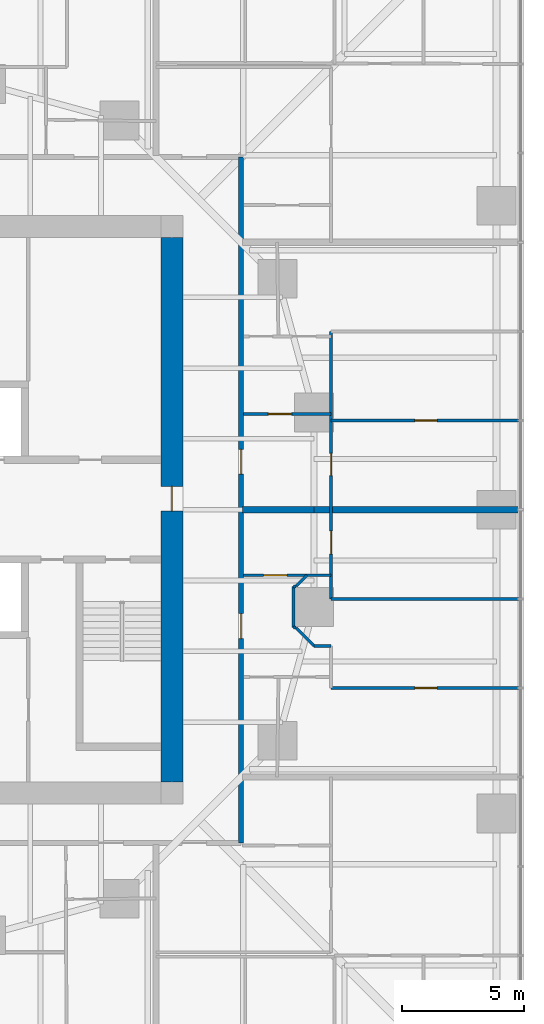
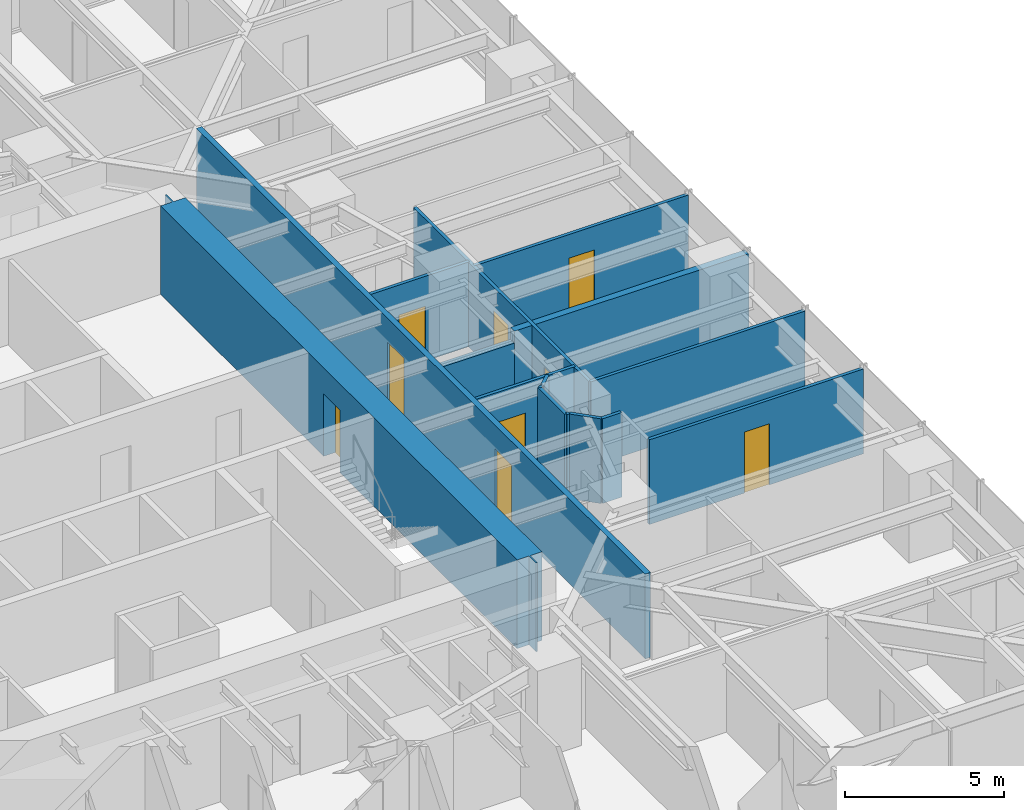
# One storey, part 11 of 16: 16 walls, 9 doors, 9 openings.
"""IFC4 building model written with IfcOpenShell, lengths in metres."""

from ifc_helpers import new_model, si_unit, direction, frame, frame_2d, origin, place, context, subcontext, project, spatial, polyline, rectangle, outline, extrude, material, layer, layer_set, type_object, element, fill, save


model = new_model("IFC4")

# Units and contexts
model_context = context("Model", 3, precision=1e-05, world=origin(), true_north=direction((0.0, 1.0)))
body_context = subcontext(model_context, "Body", "Model", "MODEL_VIEW")
ifc_project = project(units=[si_unit("LENGTHUNIT", "METRE"), si_unit("AREAUNIT", "SQUARE_METRE"), si_unit("VOLUMEUNIT", "CUBIC_METRE"), si_unit("PLANEANGLEUNIT", "RADIAN"), si_unit("MASSUNIT", "GRAM", prefix="KILO")], contexts=[model_context])

# Site, building, storey
site_placement = place(None, origin())
site = spatial("IfcSite", under=ifc_project, at=site_placement, CompositionType="ELEMENT")
building_placement = place(site_placement, origin())
building = spatial("IfcBuilding", under=site, at=building_placement, Name="Torsade Residences", CompositionType="ELEMENT")
storey_placement = place(building_placement, frame((0.0, 0.0, 35.39990234375)))
storey = spatial("IfcBuildingStorey", under=building, at=storey_placement, Name="L09", CompositionType="ELEMENT", Elevation=35.39990234375)

# Wall, opening, door
ifc_material_1 = material(Name="Concrete 80 MPa", Category="concrete")
ifc_layer_1 = layer(ifc_material_1, 0.89990234375)
ifc_layer_set_1 = layer_set([ifc_layer_1], Name="Concrete 80 MPa")
wall_type_1 = type_object("IfcWallType", Name="CORE WALL 900", PredefinedType="SHEAR", material=ifc_layer_set_1)
wall_1_placement = place(storey_placement, frame((51.64990234375, 18.800048828125, 0.0), z_axis=(0.0, 0.0, 1.0), x_axis=(0.0, 1.0, 0.0)))
wall_1 = element("IfcWall", 1, at=wall_1_placement, inside=storey, type_object=wall_type_1, Name="Core wall E L09", PredefinedType="SHEAR", context=body_context, shape_type="SweptSolid", body=[
    extrude(outline(polyline([(0.0, -0.449951171875), (22.39990234375, -0.449951171875), (22.39990234375, -0.02490234375), (22.849853515625, -0.02490234375), (22.849853515625, 0.02490234375), (22.39990234375, 0.02490234375), (22.39990234375, 0.449951171875), (0.0, 0.449951171875), (0.0, 0.02490234375), (-0.449951171875, 0.02490234375), (-0.449951171875, -0.02490234375), (0.0, -0.02490234375), (0.0, -0.449951171875)])), origin(), (0.0, 0.0, 1.0), 3.400146484375),
])
opening_1_placement = place(wall_1_placement, frame((11.139892578125, 0.0, 0.0)))
opening_1 = element("IfcOpeningElement", 2, at=opening_1_placement, cuts=wall_1, Name="Opening D04", PredefinedType="OPENING", context=body_context, shape_type="SweptSolid", body=[
    extrude(rectangle(XDim=1.02001953125, YDim=2.39990234375, at=frame_2d((0.510009765625, 1.199951171875))), frame((0.0, 0.4599609375, 0.0), z_axis=(0.0, -1.0, 0.0), x_axis=(1.0, 0.0, 0.0)), (0.0, 0.0, 1.0), 0.919921875),
])
ifc_material_2 = material(Name="Steel-framed fire door", Category="steel")
door_type_1 = type_object("IfcDoorType", Name="LOBBY SMOKE DOOR 1020x2400", OperationType="NOTDEFINED", PredefinedType="DOOR", material=ifc_material_2)
door_1_placement = place(opening_1_placement, origin())
door_1 = element("IfcDoor", 3, at=door_1_placement, inside=storey, type_object=door_type_1, Name="Lift lobby door E L09", OperationType="SINGLE_SWING_LEFT", OverallHeight=2.39990234375, OverallWidth=1.02001953125, PredefinedType="DOOR", context=body_context, shape_type="SweptSolid", body=[
    extrude(rectangle(XDim=1.02001953125, YDim=2.39990234375, at=frame_2d((0.510009765625, 1.199951171875))), frame((0.0, 0.02490234375, 0.0), z_axis=(0.0, -1.0, 0.0), x_axis=(1.0, 0.0, 0.0)), (0.0, 0.0, 1.0), 0.050048828125),
])
fill(opening_1, door_1)

# Wall, openings, doors
ifc_material_3 = material(Name="Plasterboard on steel stud", Category="steel")
ifc_layer_2 = layer(ifc_material_3, 0.199951171875)
ifc_layer_set_2 = layer_set([ifc_layer_2], Name="Plasterboard on steel stud")
wall_type_2 = type_object("IfcWallType", Name="CORRIDOR WALL 200", PredefinedType="PARTITIONING", material=ifc_layer_set_2)
wall_2_placement = place(storey_placement, frame((54.5, 16.300048828125, 0.0), z_axis=(0.0, 0.0, 1.0), x_axis=(0.0, 1.0, 0.0)))
wall_2 = element("IfcWall", 4, at=wall_2_placement, inside=storey, type_object=wall_type_2, Name="Corridor wall L09", PredefinedType="PARTITIONING", context=body_context, shape_type="SweptSolid", body=[
    extrude(rectangle(XDim=28.199951171875, YDim=0.199951171875, at=frame_2d((14.10009765625, 0.0))), origin(), (0.0, 0.0, 1.0), 3.25),
])
opening_2_placement = place(wall_2_placement, frame((8.402587890625, 0.0, 0.0)))
opening_2 = element("IfcOpeningElement", 5, at=opening_2_placement, cuts=wall_2, Name="Opening D01", PredefinedType="OPENING", context=body_context, shape_type="SweptSolid", body=[
    extrude(rectangle(XDim=1.02001953125, YDim=2.340087890625, at=frame_2d((0.510009765625, 1.169921875))), frame((0.0, 0.10986328125, 0.0), z_axis=(0.0, -1.0, 0.0), x_axis=(1.0, 0.0, 0.0)), (0.0, 0.0, 1.0), 0.219970703125),
])
opening_3_placement = place(wall_2_placement, frame((15.16015625, 0.0, 0.0)))
opening_3 = element("IfcOpeningElement", 6, at=opening_3_placement, cuts=wall_2, Name="Opening D01", PredefinedType="OPENING", context=body_context, shape_type="SweptSolid", body=[
    extrude(rectangle(XDim=1.02001953125, YDim=2.340087890625, at=frame_2d((0.510009765625, 1.169921875))), frame((0.0, 0.10986328125, 0.0), z_axis=(0.0, -1.0, 0.0), x_axis=(1.0, 0.0, 0.0)), (0.0, 0.0, 1.0), 0.219970703125),
])
ifc_material_4 = material(Name="Solid-core timber fire door", Category="wood")
door_type_2 = type_object("IfcDoorType", Name="APARTMENT ENTRY DOOR 1020x2340", OperationType="NOTDEFINED", PredefinedType="DOOR", material=ifc_material_4)
door_2_placement = place(opening_2_placement, origin())
door_2 = element("IfcDoor", 7, at=door_2_placement, inside=storey, type_object=door_type_2, Name="Door Residential corridor to Kitchen and dining", OperationType="SINGLE_SWING_RIGHT", OverallHeight=2.340087890625, OverallWidth=1.02001953125, PredefinedType="DOOR", context=body_context, shape_type="SweptSolid", body=[
    extrude(rectangle(XDim=1.02001953125, YDim=2.340087890625, at=frame_2d((0.510009765625, 1.169921875))), frame((0.0, 0.02490234375, 0.0), z_axis=(0.0, -1.0, 0.0), x_axis=(1.0, 0.0, 0.0)), (0.0, 0.0, 1.0), 0.050048828125),
])
fill(opening_2, door_2)
door_3_placement = place(opening_3_placement, origin())
door_3 = element("IfcDoor", 8, at=door_3_placement, inside=storey, type_object=door_type_2, Name="Door Residential corridor to Kitchen and dining", OperationType="SINGLE_SWING_RIGHT", OverallHeight=2.340087890625, OverallWidth=1.02001953125, PredefinedType="DOOR", context=body_context, shape_type="SweptSolid", body=[
    extrude(rectangle(XDim=1.02001953125, YDim=2.340087890625, at=frame_2d((0.510009765625, 1.169921875))), frame((0.0, 0.02490234375, 0.0), z_axis=(0.0, -1.0, 0.0), x_axis=(1.0, 0.0, 0.0)), (0.0, 0.0, 1.0), 0.050048828125),
])
fill(opening_3, door_3)

# Wall, opening, door
ifc_material_5 = material(Name="Plasterboard on steel stud", Category="steel")
ifc_layer_3 = layer(ifc_material_5, 0.1201171875)
ifc_layer_set_3 = layer_set([ifc_layer_3], Name="Plasterboard on steel stud")
wall_type_3 = type_object("IfcWallType", Name="PARTITION 120", PredefinedType="PARTITIONING", material=ifc_layer_set_3)
wall_3_placement = place(storey_placement, frame((54.60009765625, 27.306640625, 0.0), z_axis=(0.0, 0.0, 1.0), x_axis=(1.0, 0.0, 0.0)))
wall_3 = element("IfcWall", 9, at=wall_3_placement, inside=storey, type_object=wall_type_3, Name="Partition L09", PredefinedType="PARTITIONING", context=body_context, shape_type="SweptSolid", body=[
    extrude(rectangle(XDim=3.599853515625, YDim=0.1201171875, at=frame_2d((1.7998046875, 0.0))), origin(), (0.0, 0.0, 1.0), 3.25),
])
opening_4_placement = place(wall_3_placement, frame((0.8232421875, 0.0, 0.0)))
opening_4 = element("IfcOpeningElement", 10, at=opening_4_placement, cuts=wall_3, Name="Opening D05", PredefinedType="OPENING", context=body_context, shape_type="SweptSolid", body=[
    extrude(rectangle(XDim=0.9599609375, YDim=2.10009765625, at=frame_2d((0.47998046875, 1.050048828125))), frame((0.0, 0.070068359375, 0.0), z_axis=(0.0, -1.0, 0.0), x_axis=(1.0, 0.0, 0.0)), (0.0, 0.0, 1.0), 0.14013671875),
])
ifc_material_6 = material(Name="Hollow-core timber door in a steel cavity frame", Category="steel")
door_type_3 = type_object("IfcDoorType", Name="BATHROOM CAVITY SLIDING DOOR 960", OperationType="SLIDING_TO_LEFT", PredefinedType="DOOR", material=ifc_material_6)
door_4_placement = place(opening_4_placement, origin())
door_4 = element("IfcDoor", 11, at=door_4_placement, inside=storey, type_object=door_type_3, Name="Door Kitchen and dining to Ensuite", OperationType="SLIDING_TO_LEFT", OverallHeight=2.10009765625, OverallWidth=0.9599609375, PredefinedType="DOOR", context=body_context, shape_type="SweptSolid", body=[
    extrude(rectangle(XDim=0.9599609375, YDim=2.10009765625, at=frame_2d((0.47998046875, 1.050048828125))), frame((0.0, 0.02490234375, 0.0), z_axis=(0.0, -1.0, 0.0), x_axis=(1.0, 0.0, 0.0)), (0.0, 0.0, 1.0), 0.050048828125),
])
fill(opening_4, door_4)

# Walls
wall_4_placement = place(storey_placement, frame((57.206787109375, 27.306640625, 0.0), z_axis=(0.0, 0.0, 1.0), x_axis=(-0.707295771362, -0.706917740485, 0.0)))
element("IfcWall", 12, at=wall_4_placement, inside=storey, type_object=wall_type_3, Name="Partition L09", PredefinedType="PARTITIONING", context=body_context, shape_type="SweptSolid", body=[
    extrude(rectangle(XDim=0.645751953125, YDim=0.1201171875, at=frame_2d((0.32275390625, 0.0))), origin(), (0.0, 0.0, 1.0), 3.25),
])
wall_5_placement = place(storey_placement, frame((56.64990234375, 26.85009765625, 0.0), z_axis=(0.0, 0.0, 1.0), x_axis=(0.0, -1.0, 0.0)))
element("IfcWall", 13, at=wall_5_placement, inside=storey, type_object=wall_type_3, Name="Partition L09", PredefinedType="PARTITIONING", context=body_context, shape_type="SweptSolid", body=[
    extrude(rectangle(XDim=1.7001953125, YDim=0.1201171875, at=frame_2d((0.85009765625, 0.0))), origin(), (0.0, 0.0, 1.0), 3.25),
])
wall_6_placement = place(storey_placement, frame((56.75, 25.14990234375, 0.0), z_axis=(0.0, 0.0, 1.0), x_axis=(0.707106781187, -0.707106781187, 0.0)))
element("IfcWall", 14, at=wall_6_placement, inside=storey, type_object=wall_type_3, Name="Partition L09", PredefinedType="PARTITIONING", context=body_context, shape_type="SweptSolid", body=[
    extrude(rectangle(XDim=1.060546875, YDim=0.1201171875, at=frame_2d((0.5302734375, 0.0))), origin(), (0.0, 0.0, 1.0), 3.25),
])
wall_7_placement = place(storey_placement, frame((57.5, 24.39990234375, 0.0), z_axis=(0.0, 0.0, 1.0), x_axis=(1.0, 0.0, 0.0)))
element("IfcWall", 15, at=wall_7_placement, inside=storey, type_object=wall_type_3, Name="Partition L09", PredefinedType="PARTITIONING", context=body_context, shape_type="SweptSolid", body=[
    extrude(rectangle(XDim=0.699951171875, YDim=0.1201171875, at=frame_2d((0.35009765625, 0.0))), origin(), (0.0, 0.0, 1.0), 3.25),
])

# Wall, openings, doors
wall_8_placement = place(storey_placement, frame((58.199951171875, 37.333251953125, 0.0), z_axis=(0.0, 0.0, 1.0), x_axis=(0.0, -1.0, 0.0)))
wall_8 = element("IfcWall", 16, at=wall_8_placement, inside=storey, type_object=wall_type_3, Name="Partition L09", PredefinedType="PARTITIONING", context=body_context, shape_type="SweptSolid", body=[
    extrude(rectangle(XDim=11.0, YDim=0.1201171875, at=frame_2d((5.5, 0.0))), origin(), (0.0, 0.0, 1.0), 3.25),
])
opening_5_placement = place(wall_8_placement, frame((5.014892578125, 0.0, 0.0)))
opening_5 = element("IfcOpeningElement", 17, at=opening_5_placement, cuts=wall_8, Name="Opening D02", PredefinedType="OPENING", context=body_context, shape_type="SweptSolid", body=[
    extrude(rectangle(XDim=0.919921875, YDim=2.340087890625, at=frame_2d((0.4599609375, 1.169921875))), frame((0.0, 0.070068359375, 0.0), z_axis=(0.0, -1.0, 0.0), x_axis=(1.0, 0.0, 0.0)), (0.0, 0.0, 1.0), 0.14013671875),
])
opening_6_placement = place(wall_8_placement, frame((8.199951171875, 0.0, 0.0)))
opening_6 = element("IfcOpeningElement", 18, at=opening_6_placement, cuts=wall_8, Name="Opening D05", PredefinedType="OPENING", context=body_context, shape_type="SweptSolid", body=[
    extrude(rectangle(XDim=0.9599609375, YDim=2.10009765625, at=frame_2d((0.47998046875, 1.050048828125))), frame((0.0, 0.070068359375, 0.0), z_axis=(0.0, -1.0, 0.0), x_axis=(1.0, 0.0, 0.0)), (0.0, 0.0, 1.0), 0.14013671875),
])
door_5_placement = place(opening_6_placement, origin())
door_5 = element("IfcDoor", 19, at=door_5_placement, inside=storey, type_object=door_type_3, Name="Door Ensuite to Bedroom 1", OperationType="SLIDING_TO_LEFT", OverallHeight=2.10009765625, OverallWidth=0.9599609375, PredefinedType="DOOR", context=body_context, shape_type="SweptSolid", body=[
    extrude(rectangle(XDim=0.9599609375, YDim=2.10009765625, at=frame_2d((0.47998046875, 1.050048828125))), frame((0.0, 0.02490234375, 0.0), z_axis=(0.0, -1.0, 0.0), x_axis=(1.0, 0.0, 0.0)), (0.0, 0.0, 1.0), 0.050048828125),
])
fill(opening_6, door_5)
ifc_material_7 = material(Name="Hollow-core timber door", Category="wood")
door_type_4 = type_object("IfcDoorType", Name="INTERNAL DOOR 920x2340", OperationType="NOTDEFINED", PredefinedType="DOOR", material=ifc_material_7)
door_6_placement = place(opening_5_placement, origin())
door_6 = element("IfcDoor", 20, at=door_6_placement, inside=storey, type_object=door_type_4, Name="Door Kitchen and dining to Living room", OperationType="SINGLE_SWING_LEFT", OverallHeight=2.340087890625, OverallWidth=0.919921875, PredefinedType="DOOR", context=body_context, shape_type="SweptSolid", body=[
    extrude(rectangle(XDim=0.919921875, YDim=2.340087890625, at=frame_2d((0.4599609375, 1.169921875))), frame((0.0, 0.02490234375, 0.0), z_axis=(0.0, -1.0, 0.0), x_axis=(1.0, 0.0, 0.0)), (0.0, 0.0, 1.0), 0.050048828125),
])
fill(opening_5, door_6)

# Wall, opening, door
wall_9_placement = place(storey_placement, frame((58.199951171875, 22.666748046875, 0.0), z_axis=(0.0, 0.0, 1.0), x_axis=(1.0, 0.0, 0.0)))
wall_9 = element("IfcWall", 21, at=wall_9_placement, inside=storey, type_object=wall_type_3, Name="Partition L09", PredefinedType="PARTITIONING", context=body_context, shape_type="SweptSolid", body=[
    extrude(rectangle(XDim=7.760009765625, YDim=0.1201171875, at=frame_2d((3.8798828125, 0.0))), origin(), (0.0, 0.0, 1.0), 3.25),
])
opening_7_placement = place(wall_9_placement, frame((3.43994140625, 0.0, 0.0)))
opening_7 = element("IfcOpeningElement", 22, at=opening_7_placement, cuts=wall_9, Name="Opening D02", PredefinedType="OPENING", context=body_context, shape_type="SweptSolid", body=[
    extrude(rectangle(XDim=0.919921875, YDim=2.340087890625, at=frame_2d((0.4599609375, 1.169921875))), frame((0.0, 0.070068359375, 0.0), z_axis=(0.0, -1.0, 0.0), x_axis=(1.0, 0.0, 0.0)), (0.0, 0.0, 1.0), 0.14013671875),
])
door_7_placement = place(opening_7_placement, origin())
door_7 = element("IfcDoor", 23, at=door_7_placement, inside=storey, type_object=door_type_4, Name="Door Living room to Bedroom 2", OperationType="SINGLE_SWING_LEFT", OverallHeight=2.340087890625, OverallWidth=0.919921875, PredefinedType="DOOR", context=body_context, shape_type="SweptSolid", body=[
    extrude(rectangle(XDim=0.919921875, YDim=2.340087890625, at=frame_2d((0.4599609375, 1.169921875))), frame((0.0, 0.02490234375, 0.0), z_axis=(0.0, -1.0, 0.0), x_axis=(1.0, 0.0, 0.0)), (0.0, 0.0, 1.0), 0.050048828125),
])
fill(opening_7, door_7)

# Wall
wall_10_placement = place(storey_placement, frame((65.9599609375, 26.333251953125, 0.0), z_axis=(0.0, 0.0, 1.0), x_axis=(-1.0, 0.0, 0.0)))
element("IfcWall", 24, at=wall_10_placement, inside=storey, type_object=wall_type_3, Name="Partition L09", PredefinedType="PARTITIONING", context=body_context, shape_type="SweptSolid", body=[
    extrude(rectangle(XDim=7.760009765625, YDim=0.1201171875, at=frame_2d((3.8798828125, 0.0))), origin(), (0.0, 0.0, 1.0), 3.25),
])

# Wall, opening, door
wall_11_placement = place(storey_placement, frame((54.60009765625, 33.9404296875, 0.0), z_axis=(0.0, 0.0, 1.0), x_axis=(1.0, 0.0, 0.0)))
wall_11 = element("IfcWall", 25, at=wall_11_placement, inside=storey, type_object=wall_type_3, Name="Partition L09", PredefinedType="PARTITIONING", context=body_context, shape_type="SweptSolid", body=[
    extrude(rectangle(XDim=3.599853515625, YDim=0.1201171875, at=frame_2d((1.7998046875, 0.0))), origin(), (0.0, 0.0, 1.0), 3.25),
])
opening_8_placement = place(wall_11_placement, frame((1.02001953125, 0.0, 0.0)))
opening_8 = element("IfcOpeningElement", 26, at=opening_8_placement, cuts=wall_11, Name="Opening D05", PredefinedType="OPENING", context=body_context, shape_type="SweptSolid", body=[
    extrude(rectangle(XDim=0.9599609375, YDim=2.10009765625, at=frame_2d((0.47998046875, 1.050048828125))), frame((0.0, 0.070068359375, 0.0), z_axis=(0.0, -1.0, 0.0), x_axis=(1.0, 0.0, 0.0)), (0.0, 0.0, 1.0), 0.14013671875),
])
door_8_placement = place(opening_8_placement, origin())
door_8 = element("IfcDoor", 27, at=door_8_placement, inside=storey, type_object=door_type_3, Name="Door Kitchen and dining to Ensuite", OperationType="SLIDING_TO_LEFT", OverallHeight=2.10009765625, OverallWidth=0.9599609375, PredefinedType="DOOR", context=body_context, shape_type="SweptSolid", body=[
    extrude(rectangle(XDim=0.9599609375, YDim=2.10009765625, at=frame_2d((0.47998046875, 1.050048828125))), frame((0.0, 0.02490234375, 0.0), z_axis=(0.0, -1.0, 0.0), x_axis=(1.0, 0.0, 0.0)), (0.0, 0.0, 1.0), 0.050048828125),
])
fill(opening_8, door_8)

wall_12_placement = place(storey_placement, frame((58.199951171875, 33.666748046875, 0.0), z_axis=(0.0, 0.0, 1.0), x_axis=(1.0, 0.0, 0.0)))
wall_12 = element("IfcWall", 28, at=wall_12_placement, inside=storey, type_object=wall_type_3, Name="Partition L09", PredefinedType="PARTITIONING", context=body_context, shape_type="SweptSolid", body=[
    extrude(rectangle(XDim=7.760009765625, YDim=0.1201171875, at=frame_2d((3.8798828125, 0.0))), origin(), (0.0, 0.0, 1.0), 3.25),
])
opening_9_placement = place(wall_12_placement, frame((3.43994140625, 0.0, 0.0)))
opening_9 = element("IfcOpeningElement", 29, at=opening_9_placement, cuts=wall_12, Name="Opening D02", PredefinedType="OPENING", context=body_context, shape_type="SweptSolid", body=[
    extrude(rectangle(XDim=0.919921875, YDim=2.340087890625, at=frame_2d((0.4599609375, 1.169921875))), frame((0.0, 0.070068359375, 0.0), z_axis=(0.0, -1.0, 0.0), x_axis=(1.0, 0.0, 0.0)), (0.0, 0.0, 1.0), 0.14013671875),
])
door_9_placement = place(opening_9_placement, origin())
door_9 = element("IfcDoor", 30, at=door_9_placement, inside=storey, type_object=door_type_4, Name="Door Living room to Bedroom 2", OperationType="SINGLE_SWING_LEFT", OverallHeight=2.340087890625, OverallWidth=0.919921875, PredefinedType="DOOR", context=body_context, shape_type="SweptSolid", body=[
    extrude(rectangle(XDim=0.919921875, YDim=2.340087890625, at=frame_2d((0.4599609375, 1.169921875))), frame((0.0, 0.02490234375, 0.0), z_axis=(0.0, -1.0, 0.0), x_axis=(1.0, 0.0, 0.0)), (0.0, 0.0, 1.0), 0.050048828125),
])
fill(opening_9, door_9)

# Walls
for number, where, z_axis, x_axis, name in (
    (31, (56.64990234375, 26.85009765625, 0.0), (0.0, 0.0, 1.0), (1.0, 0.0, 0.0), "Partition L09"),
    (32, (56.64990234375, 25.14990234375, 0.0), (0.0, 0.0, 1.0), (1.0, 0.0, 0.0), "Partition L09"),
):
    element("IfcWall", number, at=place(storey_placement, frame(where, z_axis=z_axis, x_axis=x_axis)), inside=storey, type_object=wall_type_3, Name=name, PredefinedType="PARTITIONING", context=body_context, shape_type="SweptSolid", body=[
        extrude(rectangle(XDim=0.10009765625, YDim=0.1201171875, at=frame_2d((0.050048828125, 0.0))), origin(), (0.0, 0.0, 1.0), 3.25),
    ])
ifc_material_8 = material(Name="Masonry-lined stud party wall", Category="masonry")
ifc_layer_4 = layer(ifc_material_8, 0.25)
ifc_layer_set_4 = layer_set([ifc_layer_4], Name="Masonry-lined stud party wall")
wall_type_4 = type_object("IfcWallType", Name="PARTY WALL 250", PredefinedType="PARTITIONING", material=ifc_layer_set_4)
wall_13_placement = place(storey_placement, frame((66.0, 30.0, 0.0), z_axis=(0.0, 0.0, 1.0), x_axis=(-1.0, 0.0, 0.0)))
element("IfcWall", 33, at=wall_13_placement, inside=storey, type_object=wall_type_4, Name="Party wall L09", PredefinedType="PARTITIONING", context=body_context, shape_type="SweptSolid", body=[
    extrude(rectangle(XDim=8.5, YDim=0.25, at=frame_2d((4.25, 0.0))), origin(), (0.0, 0.0, 1.0), 3.25),
])
wall_14_placement = place(storey_placement, frame((57.5, 30.0, 0.0), z_axis=(0.0, 0.0, 1.0), x_axis=(-1.0, 0.0, 0.0)))
element("IfcWall", 34, at=wall_14_placement, inside=storey, type_object=wall_type_4, Name="Party wall L09", PredefinedType="PARTITIONING", context=body_context, shape_type="SweptSolid", body=[
    extrude(rectangle(XDim=2.93994140625, YDim=0.25, at=frame_2d((1.469970703125, 0.0))), origin(), (0.0, 0.0, 1.0), 2.796142578125),
])

save(model, "model.ifc")
